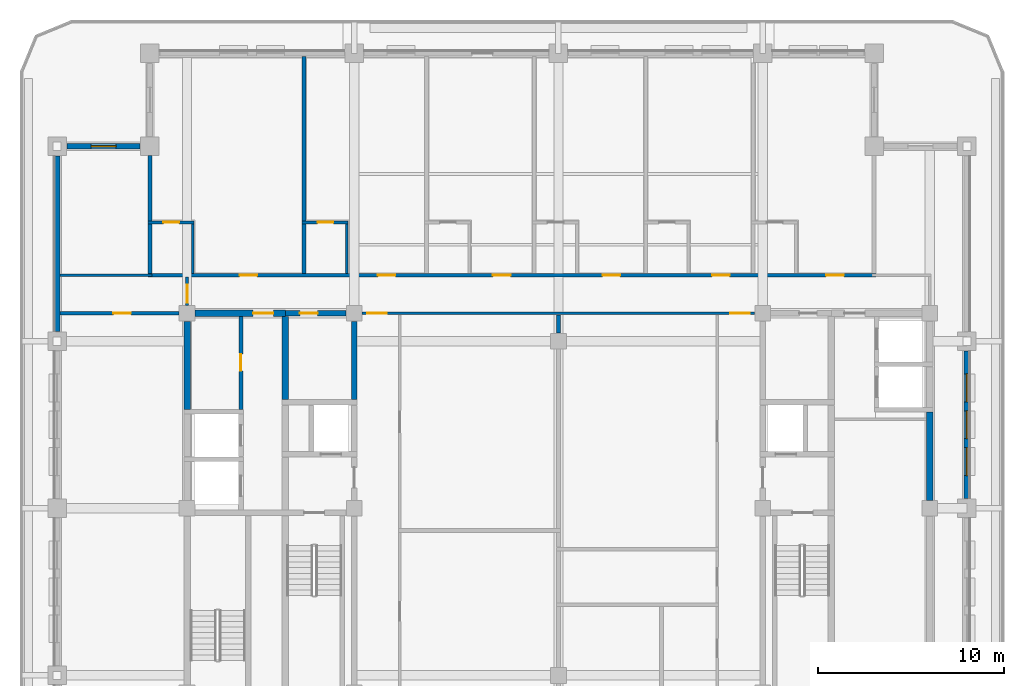
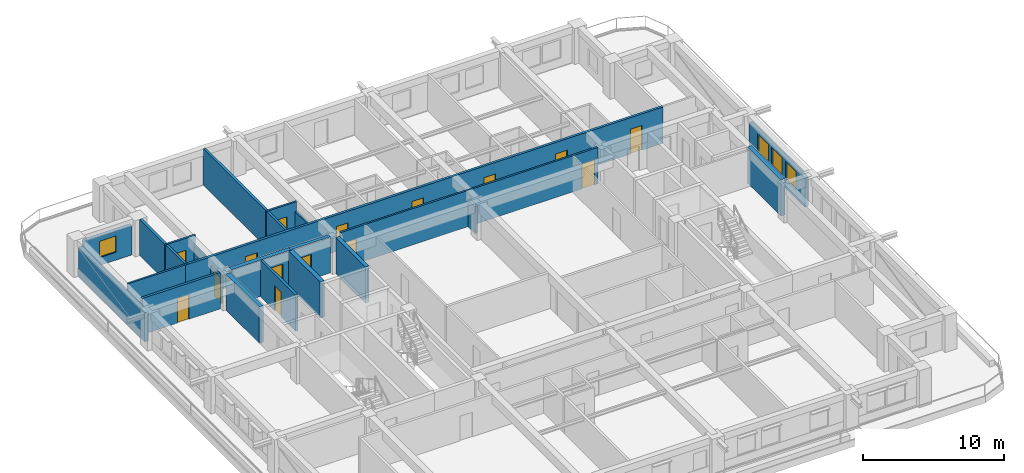
# One storey, part 5 of 14: 24 walls, 15 doors, 4 windows, 19 openings.
"""IFC4 building model written with IfcOpenShell, lengths in metres."""

import ifcopenshell
import ifcopenshell.guid

model = None  # the IFC model being written
_history = None  # IfcOwnerHistory: only IFC2X3 demands one
_inside = {}  # id of a spatial element -> (the spatial element, [elements in it])
_under = {}  # id of a project, library or spatial element -> (it, [spatial elements below it])
_declared = {}  # id of a project -> (the project, [libraries it declares])
_typed = {}  # id of a type object -> (the type object, [elements of that type])
_made_of = {}  # id of a material, layer set ... -> (it, [elements and type objects made of it])


def new_model(schema):
    """Start an empty IFC model of exactly this schema.

    Asked for "IFC4X3", IfcOpenShell would pick the latest addendum, in which some entities
    have other attributes; the version numbers below select the first issue.
    IFC2X3 requires an IfcOwnerHistory on every rooted entity: one is made here for all.
    """
    global model, _history
    if schema == "IFC4X3":
        model = ifcopenshell.file(schema_version=(4, 3, 0, 0))
    else:
        model = ifcopenshell.file(schema=schema)
    _inside.clear()
    _under.clear()
    _declared.clear()
    _typed.clear()
    _made_of.clear()
    _history = None
    if model.schema == "IFC2X3":
        org = make("IfcOrganization", Name="unknown")
        user = make(
            "IfcPersonAndOrganization",
            ThePerson=make("IfcPerson", FamilyName="unknown"),
            TheOrganization=org,
        )
        app = make(
            "IfcApplication",
            ApplicationDeveloper=org,
            Version="unknown",
            ApplicationFullName="unknown",
            ApplicationIdentifier="unknown",
        )
        _history = make(
            "IfcOwnerHistory",
            OwningUser=user,
            OwningApplication=app,
            ChangeAction="ADDED",
            CreationDate=0,
        )
    return model


def make(cls, **values):
    """One entity of the class cls with the attributes given. An attribute that is None is left unset."""
    return model.create_entity(
        cls, **{name: value for name, value in values.items() if value is not None}
    )


def rooted(cls, **values):
    """An entity with a GlobalId (a new one), such as an element, a storey or a relation."""
    return make(cls, GlobalId=ifcopenshell.guid.new(), OwnerHistory=_history, **values)


def si_unit(unit_type, name, prefix=None):
    """IfcSIUnit, for example si_unit("LENGTHUNIT", "METRE", prefix="MILLI")."""
    return make("IfcSIUnit", UnitType=unit_type, Prefix=prefix, Name=name)


def assignment(units):
    """IfcUnitAssignment: the units of a project."""
    return None if units is None else make("IfcUnitAssignment", Units=units)


def point(xyz):
    """IfcCartesianPoint."""
    return None if xyz is None else make("IfcCartesianPoint", Coordinates=xyz)


def direction(xyz):
    """IfcDirection."""
    return None if xyz is None else make("IfcDirection", DirectionRatios=xyz)


def frame(location, z_axis=None, x_axis=None):
    """IfcAxis2Placement3D, a coordinate frame: its origin and axes. An axis left out is left unset."""
    return make(
        "IfcAxis2Placement3D",
        Location=point(location),
        Axis=direction(z_axis),
        RefDirection=direction(x_axis),
    )


def frame_2d(location, x_axis=None):
    """IfcAxis2Placement2D, a coordinate frame in the plane: its origin and x axis."""
    return make(
        "IfcAxis2Placement2D", Location=point(location), RefDirection=direction(x_axis)
    )


def origin():
    """The frame at (0, 0, 0) with its axes left unset."""
    return frame((0.0, 0.0, 0.0))


def place(relative_to, where):
    """IfcLocalPlacement: puts the frame where relative to a parent placement (None: the world)."""
    return make(
        "IfcLocalPlacement", PlacementRelTo=relative_to, RelativePlacement=where
    )


def context(
    kind, dimensions, precision=None, world=None, true_north=None, identifier=None
):
    """IfcGeometricRepresentationContext, for example the 3D "Model" context."""
    return make(
        "IfcGeometricRepresentationContext",
        ContextIdentifier=identifier,
        ContextType=kind,
        CoordinateSpaceDimension=dimensions,
        Precision=precision,
        WorldCoordinateSystem=world,
        TrueNorth=true_north,
    )


def subcontext(parent, identifier, kind, view, scale=None):
    """IfcGeometricRepresentationSubContext, for example "Body" below "Model"."""
    return make(
        "IfcGeometricRepresentationSubContext",
        ContextIdentifier=identifier,
        ContextType=kind,
        ParentContext=parent,
        TargetScale=scale,
        TargetView=view,
    )


def project(units=None, contexts=None):
    """IfcProject with its units and contexts."""
    return rooted(
        "IfcProject",
        Name="project",
        RepresentationContexts=contexts,
        UnitsInContext=assignment(units),
    )


def spatial(cls, under=None, at=None, **own):
    """A site, building, storey or space (cls), placed at a placement, below another one or the project."""
    s = rooted(cls, ObjectPlacement=at, **own)
    if under is not None:
        _under.setdefault(under.id(), (under, []))[1].append(s)
    return s


def profile(cls, at=None, kind="AREA", **sizes):
    """A parametric profile (cls). Its sizes go by their IFC names, for example OverallWidth=200.0."""
    return make(cls, ProfileType=kind, Position=at, **sizes)


def rectangle(**sizes):
    """IfcRectangleProfileDef."""
    return profile("IfcRectangleProfileDef", **sizes)


def extrude(swept, where, along, depth):
    """IfcExtrudedAreaSolid: the profile swept, set in the frame where, extruded along a direction by depth."""
    return make(
        "IfcExtrudedAreaSolid",
        SweptArea=swept,
        Position=where,
        ExtrudedDirection=direction(along),
        Depth=depth,
    )


def shape(context_of_items, identifier, shape_type, items):
    """IfcShapeRepresentation: the items that make up one representation, for example the "Body"."""
    return make(
        "IfcShapeRepresentation",
        ContextOfItems=context_of_items,
        RepresentationIdentifier=identifier,
        RepresentationType=shape_type,
        Items=items,
    )


def material(Name=None, Category=None):
    """IfcMaterial."""
    return make("IfcMaterial", Name=Name, Category=Category)


def layer(
    of_material, thickness, ventilated=None, Name=None, Category=None, Priority=None
):
    """IfcMaterialLayer: one layer of a wall or slab, of a material (None: an air gap)."""
    return make(
        "IfcMaterialLayer",
        Material=of_material,
        LayerThickness=thickness,
        IsVentilated=ventilated,
        Name=Name,
        Category=Category,
        Priority=Priority,
    )


def layer_set(layers, Name=None):
    """IfcMaterialLayerSet."""
    return make("IfcMaterialLayerSet", MaterialLayers=layers, LayerSetName=Name)


def made_of(thing, what):
    """Note that an element or type object is made of a material, layer set ...; save() writes the relation."""
    if what is not None:
        _made_of.setdefault(what.id(), (what, []))[1].append(thing)
    return thing


def type_object(cls, material=None, **own):
    """A type object (cls), such as IfcWallType, which elements share."""
    return made_of(rooted(cls, **own), material)


def element(
    cls,
    number,
    at=None,
    inside=None,
    cuts=None,
    type_object=None,
    material=None,
    context=None,
    identifier="Body",
    shape_type=None,
    held_by="IfcProductDefinitionShape",
    body=None,
    shapes=None,
    **own,
):
    """One element of the class cls, such as IfcWall. Its Tag is "e" and its number.

    at: its placement. inside: the storey or other place that contains it. cuts: it is an
    opening in that element (IfcRelVoidsElement). A single representation is given by context,
    identifier, shape_type and body (its items); several are given by shapes. held_by: the class
    of the entity that holds the representations. save() writes the other relations.
    """
    e = rooted(cls, Tag="e%d" % number, ObjectPlacement=at, **own)
    if body is not None:
        shapes = [shape(context, identifier, shape_type, body)]
    if shapes is not None:
        e.Representation = make(held_by, Representations=shapes)
    if inside is not None:
        _inside.setdefault(inside.id(), (inside, []))[1].append(e)
    if cuts is not None:
        rooted(
            "IfcRelVoidsElement", RelatingBuildingElement=cuts, RelatedOpeningElement=e
        )
    if type_object is not None:
        _typed.setdefault(type_object.id(), (type_object, []))[1].append(e)
    return made_of(e, material)


def fill(opening, filler):
    """IfcRelFillsElement: the door or window that sits in an opening."""
    return rooted(
        "IfcRelFillsElement",
        RelatingOpeningElement=opening,
        RelatedBuildingElement=filler,
    )


def aggregate(whole, parts):
    """IfcRelAggregates: a whole, such as a stair, and the parts it consists of."""
    return rooted("IfcRelAggregates", RelatingObject=whole, RelatedObjects=parts)


def save(model, path):
    """Write the relations noted so far, then the file.

    IfcRelAggregates (storeys below a building ...), IfcRelContainedInSpatialStructure (elements
    in a storey), IfcRelDefinesByType, IfcRelAssociatesMaterial and IfcRelDeclares: one each for
    every whole, place, type object, material and project.
    """
    for whole, parts in _under.values():
        aggregate(whole, parts)
    for where, things in _inside.values():
        rooted(
            "IfcRelContainedInSpatialStructure",
            RelatedElements=things,
            RelatingStructure=where,
        )
    for kind, things in _typed.values():
        rooted("IfcRelDefinesByType", RelatedObjects=things, RelatingType=kind)
    for what, things in _made_of.values():
        rooted("IfcRelAssociatesMaterial", RelatedObjects=things, RelatingMaterial=what)
    for by, libraries in _declared.values():
        rooted("IfcRelDeclares", RelatingContext=by, RelatedDefinitions=libraries)
    model.write(path)


model = new_model("IFC4")

# Units and contexts
model_context = context("Model", 3, precision=1e-05, world=origin(), true_north=direction((0.0, 1.0)))
body_context = subcontext(model_context, "Body", "Model", "MODEL_VIEW")
ifc_project = project(units=[si_unit("LENGTHUNIT", "METRE"), si_unit("AREAUNIT", "SQUARE_METRE"), si_unit("VOLUMEUNIT", "CUBIC_METRE"), si_unit("PLANEANGLEUNIT", "RADIAN"), si_unit("MASSUNIT", "GRAM", prefix="KILO")], contexts=[model_context])

# Site, building, storey
site_placement = place(None, origin())
site = spatial("IfcSite", under=ifc_project, at=site_placement, CompositionType="ELEMENT")
building_placement = place(site_placement, origin())
building = spatial("IfcBuilding", under=site, at=building_placement, Name="Zulmaris Gate Convention Tower", CompositionType="ELEMENT")
storey_placement = place(building_placement, frame((0.0, 0.0, 194.85986328125)))
storey = spatial("IfcBuildingStorey", under=building, at=storey_placement, Name="L50", CompositionType="ELEMENT", Elevation=194.85986328125)

# Wall, opening, door
ifc_material_1 = material(Name="Concrete C50/60", Category="concrete")
ifc_layer_1 = layer(ifc_material_1, 0.300048828125, Name="Concrete C50/60")
ifc_layer_set_1 = layer_set([ifc_layer_1], Name="Concrete C50/60")
wall_type_1 = type_object("IfcWallType", Name="CORE-300", PredefinedType="SHEAR", material=ifc_layer_set_1)
wall_1_placement = place(storey_placement, frame((-14.699951171875, 10.5, 0.0), z_axis=(0.0, 0.0, 1.0), x_axis=(1.0, 0.0, 0.0)))
wall_1 = element("IfcWall", 1, at=wall_1_placement, inside=storey, type_object=wall_type_1, Name="WL-L50-016", PredefinedType="SHEAR", context=body_context, shape_type="SweptSolid", body=[
    extrude(rectangle(XDim=3.27099609375, YDim=0.300048828125, at=frame_2d((1.635498046875, 0.0))), origin(), (0.0, 0.0, 1.0), 3.150146484375),
])
opening_1_placement = place(wall_1_placement, frame((0.77490234375, 0.0, 0.0)))
opening_1 = element("IfcOpeningElement", 2, at=opening_1_placement, cuts=wall_1, Name="Opening D-11", PredefinedType="OPENING", context=body_context, shape_type="SweptSolid", body=[
    extrude(rectangle(XDim=0.949951171875, YDim=2.14990234375, at=frame_2d((0.47509765625, 1.074951171875))), frame((0.0, 0.16015625, 0.0), z_axis=(0.0, -1.0, 0.0), x_axis=(1.0, 0.0, 0.0)), (0.0, 0.0, 1.0), 0.320068359375),
])
ifc_material_2 = material(Name="Fire-Rated Timber", Category="wood")
door_type_1 = type_object("IfcDoorType", Name="DR-950-FD", OperationType="NOTDEFINED", PredefinedType="DOOR", material=ifc_material_2)
door_1_placement = place(opening_1_placement, origin())
door_1 = element("IfcDoor", 3, at=door_1_placement, inside=storey, type_object=door_type_1, Name="L50 Core Pantry Door 07", OperationType="SINGLE_SWING_RIGHT", OverallHeight=2.14990234375, OverallWidth=0.949951171875, PredefinedType="DOOR", context=body_context, shape_type="SweptSolid", body=[
    extrude(rectangle(XDim=0.949951171875, YDim=2.14990234375, at=frame_2d((0.47509765625, 1.074951171875))), frame((0.0, 0.02490234375, 0.0), z_axis=(0.0, -1.0, 0.0), x_axis=(1.0, 0.0, 0.0)), (0.0, 0.0, 1.0), 0.050048828125),
])
fill(opening_1, door_1)

# Wall
wall_2_placement = place(storey_placement, frame((-11.0, 5.85205078125, 0.0), z_axis=(0.0, 0.0, 1.0), x_axis=(0.0, 1.0, 0.0)))
element("IfcWall", 4, at=wall_2_placement, inside=storey, type_object=wall_type_1, Name="WL-L50-056", PredefinedType="SHEAR", context=body_context, shape_type="SweptSolid", body=[
    extrude(rectangle(XDim=4.218994140625, YDim=0.300048828125, at=frame_2d((2.109375, 0.0))), origin(), (0.0, 0.0, 1.0), 3.150146484375),
])

# Wall, opening, door
ifc_material_3 = material(Name="Concrete C55/67", Category="concrete")
ifc_layer_2 = layer(ifc_material_3, 0.35009765625, Name="Concrete C55/67")
ifc_layer_set_2 = layer_set([ifc_layer_2], Name="Concrete C55/67")
wall_type_2 = type_object("IfcWallType", Name="CORE-350", PredefinedType="SHEAR", material=ifc_layer_set_2)
wall_3_placement = place(storey_placement, frame((-19.571044921875, 10.5, 0.0), z_axis=(0.0, 0.0, 1.0), x_axis=(1.0, 0.0, 0.0)))
wall_3 = element("IfcWall", 5, at=wall_3_placement, inside=storey, type_object=wall_type_2, Name="WL-L50-015", PredefinedType="SHEAR", context=body_context, shape_type="SweptSolid", body=[
    extrude(rectangle(XDim=4.87109375, YDim=0.35009765625, at=frame_2d((2.435546875, 0.0))), origin(), (0.0, 0.0, 1.0), 3.150146484375),
])
opening_2_placement = place(wall_3_placement, frame((3.12109375, 0.0, 0.0)))
opening_2 = element("IfcOpeningElement", 6, at=opening_2_placement, cuts=wall_3, Name="Opening D-08", PredefinedType="OPENING", context=body_context, shape_type="SweptSolid", body=[
    extrude(rectangle(XDim=1.10009765625, YDim=2.14990234375, at=frame_2d((0.550048828125, 1.074951171875))), frame((0.0, 0.18505859375, 0.0), z_axis=(0.0, -1.0, 0.0), x_axis=(1.0, 0.0, 0.0)), (0.0, 0.0, 1.0), 0.3701171875),
])
ifc_material_4 = material(Name="Fire-Rated Steel", Category="steel")
door_type_2 = type_object("IfcDoorType", Name="DR-1100-FD", OperationType="NOTDEFINED", PredefinedType="DOOR", material=ifc_material_4)
door_2_placement = place(opening_2_placement, origin())
door_2 = element("IfcDoor", 7, at=door_2_placement, inside=storey, type_object=door_type_2, Name="L50 High-Rise West Lift Lobby Door 12", OperationType="SINGLE_SWING_LEFT", OverallHeight=2.14990234375, OverallWidth=1.10009765625, PredefinedType="DOOR", context=body_context, shape_type="SweptSolid", body=[
    extrude(rectangle(XDim=1.10009765625, YDim=2.14990234375, at=frame_2d((0.550048828125, 1.074951171875))), frame((0.0, 0.02490234375, 0.0), z_axis=(0.0, -1.0, 0.0), x_axis=(1.0, 0.0, 0.0)), (0.0, 0.0, 1.0), 0.050048828125),
])
fill(opening_2, door_2)

# Walls
wall_4_placement = place(storey_placement, frame((-20.0, 5.326904296875, 0.0), z_axis=(0.0, 0.0, 1.0), x_axis=(0.0, 1.0, 0.0)))
element("IfcWall", 8, at=wall_4_placement, inside=storey, type_object=wall_type_2, Name="WL-L50-043", PredefinedType="SHEAR", context=body_context, shape_type="SweptSolid", body=[
    extrude(rectangle(XDim=4.744140625, YDim=0.35009765625, at=frame_2d((2.3720703125, 0.0))), origin(), (0.0, 0.0, 1.0), 3.150146484375),
])
wall_5_placement = place(storey_placement, frame((-14.699951171875, 5.85205078125, 0.0), z_axis=(0.0, 0.0, 1.0), x_axis=(0.0, 1.0, 0.0)))
element("IfcWall", 9, at=wall_5_placement, inside=storey, type_object=wall_type_2, Name="WL-L50-050", PredefinedType="SHEAR", context=body_context, shape_type="SweptSolid", body=[
    extrude(rectangle(XDim=4.470947265625, YDim=0.35009765625, at=frame_2d((2.2353515625, 0.0))), origin(), (0.0, 0.0, 1.0), 3.150146484375),
])
wall_6_placement = place(storey_placement, frame((20.0, 0.428955078125, 0.0), z_axis=(0.0, 0.0, 1.0), x_axis=(0.0, 1.0, 0.0)))
element("IfcWall", 10, at=wall_6_placement, inside=storey, type_object=wall_type_2, Name="WL-L50-069S1", PredefinedType="SHEAR", context=body_context, shape_type="SweptSolid", body=[
    extrude(rectangle(XDim=4.744140625, YDim=0.35009765625, at=frame_2d((2.3720703125, 0.0))), origin(), (0.0, 0.0, 1.0), 3.150146484375),
])

# Wall, openings, doors
ifc_material_5 = material(Name="Gypsum Metal Stud Partition")
ifc_layer_3 = layer(ifc_material_5, 0.14990234375, Name="Gypsum Metal Stud Partition")
ifc_layer_set_3 = layer_set([ifc_layer_3], Name="Gypsum Metal Stud Partition")
wall_type_3 = type_object("IfcWallType", Name="PART-150", PredefinedType="PARTITIONING", material=ifc_layer_set_3)
wall_7_placement = place(storey_placement, frame((-10.569091796875, 10.5, 0.0), z_axis=(0.0, 0.0, 1.0), x_axis=(1.0, 0.0, 0.0)))
wall_7 = element("IfcWall", 11, at=wall_7_placement, inside=storey, type_object=wall_type_3, Name="WL-L50-030", PredefinedType="PARTITIONING", context=body_context, shape_type="SweptSolid", body=[
    extrude(rectangle(XDim=21.13818359375, YDim=0.14990234375, at=frame_2d((10.569091796875, 0.0))), origin(), (0.0, 0.0, 1.0), 3.150146484375),
])
opening_3_placement = place(wall_7_placement, frame((0.263916015625, 0.0, 0.0)))
opening_3 = element("IfcOpeningElement", 12, at=opening_3_placement, cuts=wall_7, Name="Opening D-09", PredefinedType="OPENING", context=body_context, shape_type="SweptSolid", body=[
    extrude(rectangle(XDim=1.050048828125, YDim=2.14990234375, at=frame_2d((0.52490234375, 1.074951171875))), frame((0.0, 0.0849609375, 0.0), z_axis=(0.0, -1.0, 0.0), x_axis=(1.0, 0.0, 0.0)), (0.0, 0.0, 1.0), 0.169921875),
])
opening_4_placement = place(wall_7_placement, frame((19.823974609375, 0.0, 0.0)))
opening_4 = element("IfcOpeningElement", 13, at=opening_4_placement, cuts=wall_7, Name="Opening D-09", PredefinedType="OPENING", context=body_context, shape_type="SweptSolid", body=[
    extrude(rectangle(XDim=1.050048828125, YDim=2.14990234375, at=frame_2d((0.52490234375, 1.074951171875))), frame((0.0, 0.0849609375, 0.0), z_axis=(0.0, -1.0, 0.0), x_axis=(1.0, 0.0, 0.0)), (0.0, 0.0, 1.0), 0.169921875),
])
door_type_3 = type_object("IfcDoorType", Name="DR-1050-FD", OperationType="NOTDEFINED", PredefinedType="DOOR", material=ifc_material_4)
door_3_placement = place(opening_3_placement, origin())
door_3 = element("IfcDoor", 14, at=door_3_placement, inside=storey, type_object=door_type_3, Name="L50 NW Hotel Loop Door 18", OperationType="SINGLE_SWING_LEFT", OverallHeight=2.14990234375, OverallWidth=1.050048828125, PredefinedType="DOOR", context=body_context, shape_type="SweptSolid", body=[
    extrude(rectangle(XDim=1.050048828125, YDim=2.14990234375, at=frame_2d((0.52490234375, 1.074951171875))), frame((0.0, 0.02490234375, 0.0), z_axis=(0.0, -1.0, 0.0), x_axis=(1.0, 0.0, 0.0)), (0.0, 0.0, 1.0), 0.050048828125),
])
fill(opening_3, door_3)
door_4_placement = place(opening_4_placement, origin())
door_4 = element("IfcDoor", 15, at=door_4_placement, inside=storey, type_object=door_type_3, Name="L50 NE Hotel Loop Door 20", OperationType="SINGLE_SWING_LEFT", OverallHeight=2.14990234375, OverallWidth=1.050048828125, PredefinedType="DOOR", context=body_context, shape_type="SweptSolid", body=[
    extrude(rectangle(XDim=1.050048828125, YDim=2.14990234375, at=frame_2d((0.52490234375, 1.074951171875))), frame((0.0, 0.02490234375, 0.0), z_axis=(0.0, -1.0, 0.0), x_axis=(1.0, 0.0, 0.0)), (0.0, 0.0, 1.0), 0.050048828125),
])
fill(opening_4, door_4)

# Wall
wall_8_placement = place(storey_placement, frame((-26.8349609375, 12.550048828125, 0.0), z_axis=(0.0, 0.0, 1.0), x_axis=(1.0, 0.0, 0.0)))
element("IfcWall", 16, at=wall_8_placement, inside=storey, type_object=wall_type_3, Name="WL-L50-031", PredefinedType="PARTITIONING", context=body_context, shape_type="SweptSolid", body=[
    extrude(rectangle(XDim=4.93505859375, YDim=0.14990234375, at=frame_2d((2.467529296875, 0.0))), origin(), (0.0, 0.0, 1.0), 3.150146484375),
])

# Wall, opening, door
wall_9_placement = place(storey_placement, frame((-22.10009765625, 15.39990234375, 0.0), z_axis=(0.0, 0.0, 1.0), x_axis=(1.0, 0.0, 0.0)))
wall_9 = element("IfcWall", 17, at=wall_9_placement, inside=storey, type_object=wall_type_3, Name="WL-L50-034", PredefinedType="PARTITIONING", context=body_context, shape_type="SweptSolid", body=[
    extrude(rectangle(XDim=2.47509765625, YDim=0.14990234375, at=frame_2d((1.237548828125, 0.0))), origin(), (0.0, 0.0, 1.0), 3.150146484375),
])
opening_5_placement = place(wall_9_placement, frame((0.824951171875, 0.0, 0.0)))
opening_5 = element("IfcOpeningElement", 18, at=opening_5_placement, cuts=wall_9, Name="Opening D-17", PredefinedType="OPENING", context=body_context, shape_type="SweptSolid", body=[
    extrude(rectangle(XDim=0.85009765625, YDim=2.10009765625, at=frame_2d((0.425048828125, 1.050048828125))), frame((0.0, 0.0849609375, 0.0), z_axis=(0.0, -1.0, 0.0), x_axis=(1.0, 0.0, 0.0)), (0.0, 0.0, 1.0), 0.169921875),
])
ifc_material_6 = material(Name="Moisture-Resistant Hardwood Timber", Category="wood")
door_type_4 = type_object("IfcDoorType", Name="DR-850", OperationType="NOTDEFINED", PredefinedType="DOOR", material=ifc_material_6)
door_5_placement = place(opening_5_placement, origin())
door_5 = element("IfcDoor", 19, at=door_5_placement, inside=storey, type_object=door_type_4, Name="L50 En-Suite Door 23", OperationType="SINGLE_SWING_RIGHT", OverallHeight=2.10009765625, OverallWidth=0.85009765625, PredefinedType="DOOR", context=body_context, shape_type="SweptSolid", body=[
    extrude(rectangle(XDim=0.85009765625, YDim=2.10009765625, at=frame_2d((0.425048828125, 1.050048828125))), frame((0.0, 0.02490234375, 0.0), z_axis=(0.0, -1.0, 0.0), x_axis=(1.0, 0.0, 0.0)), (0.0, 0.0, 1.0), 0.050048828125),
])
fill(opening_5, door_5)

wall_10_placement = place(storey_placement, frame((-13.800048828125, 15.39990234375, 0.0), z_axis=(0.0, 0.0, 1.0), x_axis=(1.0, 0.0, 0.0)))
wall_10 = element("IfcWall", 20, at=wall_10_placement, inside=storey, type_object=wall_type_3, Name="WL-L50-035", PredefinedType="PARTITIONING", context=body_context, shape_type="SweptSolid", body=[
    extrude(rectangle(XDim=2.47509765625, YDim=0.14990234375, at=frame_2d((1.237548828125, 0.0))), origin(), (0.0, 0.0, 1.0), 3.150146484375),
])
opening_6_placement = place(wall_10_placement, frame((0.824951171875, 0.0, 0.0)))
opening_6 = element("IfcOpeningElement", 21, at=opening_6_placement, cuts=wall_10, Name="Opening D-17", PredefinedType="OPENING", context=body_context, shape_type="SweptSolid", body=[
    extrude(rectangle(XDim=0.85009765625, YDim=2.10009765625, at=frame_2d((0.425048828125, 1.050048828125))), frame((0.0, 0.0849609375, 0.0), z_axis=(0.0, -1.0, 0.0), x_axis=(1.0, 0.0, 0.0)), (0.0, 0.0, 1.0), 0.169921875),
])
door_6_placement = place(opening_6_placement, origin())
door_6 = element("IfcDoor", 22, at=door_6_placement, inside=storey, type_object=door_type_4, Name="L50 En-Suite Door 25", OperationType="SINGLE_SWING_RIGHT", OverallHeight=2.10009765625, OverallWidth=0.85009765625, PredefinedType="DOOR", context=body_context, shape_type="SweptSolid", body=[
    extrude(rectangle(XDim=0.85009765625, YDim=2.10009765625, at=frame_2d((0.425048828125, 1.050048828125))), frame((0.0, 0.02490234375, 0.0), z_axis=(0.0, -1.0, 0.0), x_axis=(1.0, 0.0, 0.0)), (0.0, 0.0, 1.0), 0.050048828125),
])
fill(opening_6, door_6)

wall_11_placement = place(storey_placement, frame((-20.0, 10.930908203125, 0.0), z_axis=(0.0, 0.0, 1.0), x_axis=(0.0, 1.0, 0.0)))
wall_11 = element("IfcWall", 23, at=wall_11_placement, inside=storey, type_object=wall_type_3, Name="WL-L50-076", PredefinedType="PARTITIONING", context=body_context, shape_type="SweptSolid", body=[
    extrude(rectangle(XDim=1.51611328125, YDim=0.14990234375, at=frame_2d((0.758056640625, 0.0))), origin(), (0.0, 0.0, 1.0), 2.342041015625),
])
opening_7_placement = place(wall_11_placement, frame((0.14990234375, 0.0, 0.0)))
opening_7 = element("IfcOpeningElement", 24, at=opening_7_placement, cuts=wall_11, Name="Opening D-11", PredefinedType="OPENING", context=body_context, shape_type="SweptSolid", body=[
    extrude(rectangle(XDim=0.949951171875, YDim=2.14990234375, at=frame_2d((0.47509765625, 1.074951171875))), frame((0.0, 0.0849609375, 0.0), z_axis=(0.0, -1.0, 0.0), x_axis=(1.0, 0.0, 0.0)), (0.0, 0.0, 1.0), 0.169921875),
])
door_7_placement = place(opening_7_placement, origin())
door_7 = element("IfcDoor", 25, at=door_7_placement, inside=storey, type_object=door_type_1, Name="L50 West Spur Door 45", OperationType="SINGLE_SWING_RIGHT", OverallHeight=2.14990234375, OverallWidth=0.949951171875, PredefinedType="DOOR", context=body_context, shape_type="SweptSolid", body=[
    extrude(rectangle(XDim=0.949951171875, YDim=2.14990234375, at=frame_2d((0.47509765625, 1.074951171875))), frame((0.0, 0.02490234375, 0.0), z_axis=(0.0, -1.0, 0.0), x_axis=(1.0, 0.0, 0.0)), (0.0, 0.0, 1.0), 0.050048828125),
])
fill(opening_7, door_7)

# Walls
for number, where, z_axis, x_axis, name in (
    (26, (-19.699951171875, 12.653076171875, 0.0), (0.0, 0.0, 1.0), (0.0, 1.0, 0.0), "WL-L50-077"),
    (27, (-11.39990234375, 12.653076171875, 0.0), (0.0, 0.0, 1.0), (0.0, 1.0, 0.0), "WL-L50-081"),
):
    element("IfcWall", number, at=place(storey_placement, frame(where, z_axis=z_axis, x_axis=x_axis)), inside=storey, type_object=wall_type_3, Name=name, PredefinedType="PARTITIONING", context=body_context, shape_type="SweptSolid", body=[
        extrude(rectangle(XDim=2.6689453125, YDim=0.14990234375, at=frame_2d((1.33447265625, 0.0))), origin(), (0.0, 0.0, 1.0), 2.342041015625),
    ])

# Wall, opening, door
ifc_material_7 = material(Name="Autoclaved Aerated Concrete Block and Plasterboard", Category="concrete")
ifc_layer_4 = layer(ifc_material_7, 0.199951171875, Name="Autoclaved Aerated Concrete Block and Plasterboard")
ifc_layer_set_4 = layer_set([ifc_layer_4], Name="Autoclaved Aerated Concrete Block and Plasterboard")
wall_type_4 = type_object("IfcWallType", Name="PART-200", PredefinedType="PARTITIONING", material=ifc_layer_set_4)
wall_12_placement = place(storey_placement, frame((-26.8349609375, 10.5, 0.0), z_axis=(0.0, 0.0, 1.0), x_axis=(1.0, 0.0, 0.0)))
wall_12 = element("IfcWall", 28, at=wall_12_placement, inside=storey, type_object=wall_type_4, Name="WL-L50-029", PredefinedType="PARTITIONING", context=body_context, shape_type="SweptSolid", body=[
    extrude(rectangle(XDim=6.404052734375, YDim=0.199951171875, at=frame_2d((3.2021484375, 0.0))), origin(), (0.0, 0.0, 1.0), 3.150146484375),
])
opening_8_placement = place(wall_12_placement, frame((2.860107421875, 0.0, 0.0)))
opening_8 = element("IfcOpeningElement", 29, at=opening_8_placement, cuts=wall_12, Name="Opening D-11", PredefinedType="OPENING", context=body_context, shape_type="SweptSolid", body=[
    extrude(rectangle(XDim=0.949951171875, YDim=2.14990234375, at=frame_2d((0.47509765625, 1.074951171875))), frame((0.0, 0.10986328125, 0.0), z_axis=(0.0, -1.0, 0.0), x_axis=(1.0, 0.0, 0.0)), (0.0, 0.0, 1.0), 0.219970703125),
])
door_8_placement = place(opening_8_placement, origin())
door_8 = element("IfcDoor", 30, at=door_8_placement, inside=storey, type_object=door_type_1, Name="L50 Sunset Lounge Door 46", OperationType="SINGLE_SWING_LEFT", OverallHeight=2.14990234375, OverallWidth=0.949951171875, PredefinedType="DOOR", context=body_context, shape_type="SweptSolid", body=[
    extrude(rectangle(XDim=0.949951171875, YDim=2.14990234375, at=frame_2d((0.47509765625, 1.074951171875))), frame((0.0, 0.02490234375, 0.0), z_axis=(0.0, -1.0, 0.0), x_axis=(1.0, 0.0, 0.0)), (0.0, 0.0, 1.0), 0.050048828125),
])
fill(opening_8, door_8)

# Wall, openings, doors
wall_13_placement = place(storey_placement, frame((-22.10009765625, 12.550048828125, 0.0), z_axis=(0.0, 0.0, 1.0), x_axis=(1.0, 0.0, 0.0)))
wall_13 = element("IfcWall", 31, at=wall_13_placement, inside=storey, type_object=wall_type_4, Name="WL-L50-032", PredefinedType="PARTITIONING", context=body_context, shape_type="SweptSolid", body=[
    extrude(rectangle(XDim=39.2001953125, YDim=0.199951171875, at=frame_2d((19.60009765625, 0.0))), origin(), (0.0, 0.0, 1.0), 3.150146484375),
])
opening_9_placement = place(wall_13_placement, frame((4.925048828125, 0.0, 0.0)))
opening_9 = element("IfcOpeningElement", 32, at=opening_9_placement, cuts=wall_13, Name="Opening D-11", PredefinedType="OPENING", context=body_context, shape_type="SweptSolid", body=[
    extrude(rectangle(XDim=0.949951171875, YDim=2.14990234375, at=frame_2d((0.47509765625, 1.074951171875))), frame((0.0, 0.10986328125, 0.0), z_axis=(0.0, -1.0, 0.0), x_axis=(1.0, 0.0, 0.0)), (0.0, 0.0, 1.0), 0.219970703125),
])
opening_10_placement = place(wall_13_placement, frame((12.375, 0.0, 0.0)))
opening_10 = element("IfcOpeningElement", 33, at=opening_10_placement, cuts=wall_13, Name="Opening D-11", PredefinedType="OPENING", context=body_context, shape_type="SweptSolid", body=[
    extrude(rectangle(XDim=0.949951171875, YDim=2.14990234375, at=frame_2d((0.47509765625, 1.074951171875))), frame((0.0, 0.10986328125, 0.0), z_axis=(0.0, -1.0, 0.0), x_axis=(1.0, 0.0, 0.0)), (0.0, 0.0, 1.0), 0.219970703125),
])
opening_11_placement = place(wall_13_placement, frame((18.574951171875, 0.0, 0.0)))
opening_11 = element("IfcOpeningElement", 34, at=opening_11_placement, cuts=wall_13, Name="Opening D-11", PredefinedType="OPENING", context=body_context, shape_type="SweptSolid", body=[
    extrude(rectangle(XDim=0.949951171875, YDim=2.14990234375, at=frame_2d((0.47509765625, 1.074951171875))), frame((0.0, 0.10986328125, 0.0), z_axis=(0.0, -1.0, 0.0), x_axis=(1.0, 0.0, 0.0)), (0.0, 0.0, 1.0), 0.219970703125),
])
opening_12_placement = place(wall_13_placement, frame((24.47509765625, 0.0, 0.0)))
opening_12 = element("IfcOpeningElement", 35, at=opening_12_placement, cuts=wall_13, Name="Opening D-11", PredefinedType="OPENING", context=body_context, shape_type="SweptSolid", body=[
    extrude(rectangle(XDim=0.949951171875, YDim=2.14990234375, at=frame_2d((0.47509765625, 1.074951171875))), frame((0.0, 0.10986328125, 0.0), z_axis=(0.0, -1.0, 0.0), x_axis=(1.0, 0.0, 0.0)), (0.0, 0.0, 1.0), 0.219970703125),
])
opening_13_placement = place(wall_13_placement, frame((30.375, 0.0, 0.0)))
opening_13 = element("IfcOpeningElement", 36, at=opening_13_placement, cuts=wall_13, Name="Opening D-11", PredefinedType="OPENING", context=body_context, shape_type="SweptSolid", body=[
    extrude(rectangle(XDim=0.949951171875, YDim=2.14990234375, at=frame_2d((0.47509765625, 1.074951171875))), frame((0.0, 0.10986328125, 0.0), z_axis=(0.0, -1.0, 0.0), x_axis=(1.0, 0.0, 0.0)), (0.0, 0.0, 1.0), 0.219970703125),
])
opening_14_placement = place(wall_13_placement, frame((36.52490234375, 0.0, 0.0)))
opening_14 = element("IfcOpeningElement", 37, at=opening_14_placement, cuts=wall_13, Name="Opening D-11", PredefinedType="OPENING", context=body_context, shape_type="SweptSolid", body=[
    extrude(rectangle(XDim=0.949951171875, YDim=2.14990234375, at=frame_2d((0.47509765625, 1.074951171875))), frame((0.0, 0.10986328125, 0.0), z_axis=(0.0, -1.0, 0.0), x_axis=(1.0, 0.0, 0.0)), (0.0, 0.0, 1.0), 0.219970703125),
])
door_9_placement = place(opening_9_placement, origin())
door_9 = element("IfcDoor", 38, at=door_9_placement, inside=storey, type_object=door_type_1, Name="L50 Hotel Diplomatic Suite Door 22", OperationType="SINGLE_SWING_LEFT", OverallHeight=2.14990234375, OverallWidth=0.949951171875, PredefinedType="DOOR", context=body_context, shape_type="SweptSolid", body=[
    extrude(rectangle(XDim=0.949951171875, YDim=2.14990234375, at=frame_2d((0.47509765625, 1.074951171875))), frame((0.0, 0.02490234375, 0.0), z_axis=(0.0, -1.0, 0.0), x_axis=(1.0, 0.0, 0.0)), (0.0, 0.0, 1.0), 0.050048828125),
])
fill(opening_9, door_9)
door_10_placement = place(opening_10_placement, origin())
door_10 = element("IfcDoor", 39, at=door_10_placement, inside=storey, type_object=door_type_1, Name="L50 Hotel Diplomatic Suite Door 24", OperationType="SINGLE_SWING_LEFT", OverallHeight=2.14990234375, OverallWidth=0.949951171875, PredefinedType="DOOR", context=body_context, shape_type="SweptSolid", body=[
    extrude(rectangle(XDim=0.949951171875, YDim=2.14990234375, at=frame_2d((0.47509765625, 1.074951171875))), frame((0.0, 0.02490234375, 0.0), z_axis=(0.0, -1.0, 0.0), x_axis=(1.0, 0.0, 0.0)), (0.0, 0.0, 1.0), 0.050048828125),
])
fill(opening_10, door_10)
door_11_placement = place(opening_11_placement, origin())
door_11 = element("IfcDoor", 40, at=door_11_placement, inside=storey, type_object=door_type_1, Name="L50 Hotel Diplomatic Suite Door 26", OperationType="SINGLE_SWING_LEFT", OverallHeight=2.14990234375, OverallWidth=0.949951171875, PredefinedType="DOOR", context=body_context, shape_type="SweptSolid", body=[
    extrude(rectangle(XDim=0.949951171875, YDim=2.14990234375, at=frame_2d((0.47509765625, 1.074951171875))), frame((0.0, 0.02490234375, 0.0), z_axis=(0.0, -1.0, 0.0), x_axis=(1.0, 0.0, 0.0)), (0.0, 0.0, 1.0), 0.050048828125),
])
fill(opening_11, door_11)
door_12_placement = place(opening_12_placement, origin())
door_12 = element("IfcDoor", 41, at=door_12_placement, inside=storey, type_object=door_type_1, Name="L50 Hotel Diplomatic Suite Door 28", OperationType="SINGLE_SWING_LEFT", OverallHeight=2.14990234375, OverallWidth=0.949951171875, PredefinedType="DOOR", context=body_context, shape_type="SweptSolid", body=[
    extrude(rectangle(XDim=0.949951171875, YDim=2.14990234375, at=frame_2d((0.47509765625, 1.074951171875))), frame((0.0, 0.02490234375, 0.0), z_axis=(0.0, -1.0, 0.0), x_axis=(1.0, 0.0, 0.0)), (0.0, 0.0, 1.0), 0.050048828125),
])
fill(opening_12, door_12)
door_13_placement = place(opening_13_placement, origin())
door_13 = element("IfcDoor", 42, at=door_13_placement, inside=storey, type_object=door_type_1, Name="L50 Hotel Diplomatic Suite Door 30", OperationType="SINGLE_SWING_LEFT", OverallHeight=2.14990234375, OverallWidth=0.949951171875, PredefinedType="DOOR", context=body_context, shape_type="SweptSolid", body=[
    extrude(rectangle(XDim=0.949951171875, YDim=2.14990234375, at=frame_2d((0.47509765625, 1.074951171875))), frame((0.0, 0.02490234375, 0.0), z_axis=(0.0, -1.0, 0.0), x_axis=(1.0, 0.0, 0.0)), (0.0, 0.0, 1.0), 0.050048828125),
])
fill(opening_13, door_13)
door_14_placement = place(opening_14_placement, origin())
door_14 = element("IfcDoor", 43, at=door_14_placement, inside=storey, type_object=door_type_1, Name="L50 Hotel Diplomatic Suite Door 32", OperationType="SINGLE_SWING_LEFT", OverallHeight=2.14990234375, OverallWidth=0.949951171875, PredefinedType="DOOR", context=body_context, shape_type="SweptSolid", body=[
    extrude(rectangle(XDim=0.949951171875, YDim=2.14990234375, at=frame_2d((0.47509765625, 1.074951171875))), frame((0.0, 0.02490234375, 0.0), z_axis=(0.0, -1.0, 0.0), x_axis=(1.0, 0.0, 0.0)), (0.0, 0.0, 1.0), 0.050048828125),
])
fill(opening_14, door_14)

# Walls
wall_14_placement = place(storey_placement, frame((-22.0, 12.653076171875, 0.0), z_axis=(0.0, 0.0, 1.0), x_axis=(0.0, 1.0, 0.0)))
element("IfcWall", 44, at=wall_14_placement, inside=storey, type_object=wall_type_4, Name="WL-L50-073", PredefinedType="PARTITIONING", context=body_context, shape_type="SweptSolid", body=[
    extrude(rectangle(XDim=2.6689453125, YDim=0.199951171875, at=frame_2d((1.33447265625, 0.0))), origin(), (0.0, 0.0, 1.0), 3.150146484375),
])
wall_15_placement = place(storey_placement, frame((-22.0, 15.47802734375, 0.0), z_axis=(0.0, 0.0, 1.0), x_axis=(0.0, 1.0, 0.0)))
element("IfcWall", 45, at=wall_15_placement, inside=storey, type_object=wall_type_4, Name="WL-L50-074", PredefinedType="PARTITIONING", context=body_context, shape_type="SweptSolid", body=[
    extrude(rectangle(XDim=3.515869140625, YDim=0.199951171875, at=frame_2d((1.7578125, 0.0))), origin(), (0.0, 0.0, 1.0), 3.150146484375),
])

# Wall, opening, door
wall_16_placement = place(storey_placement, frame((-17.10009765625, 5.327880859375, 0.0), z_axis=(0.0, 0.0, 1.0), x_axis=(0.0, 1.0, 0.0)))
wall_16 = element("IfcWall", 46, at=wall_16_placement, inside=storey, type_object=wall_type_4, Name="WL-L50-078", PredefinedType="PARTITIONING", context=body_context, shape_type="SweptSolid", body=[
    extrude(rectangle(XDim=4.994140625, YDim=0.199951171875, at=frame_2d((2.4970703125, 0.0))), origin(), (0.0, 0.0, 1.0), 3.150146484375),
])
opening_15_placement = place(wall_16_placement, frame((2.072021484375, 0.0, 0.0)))
opening_15 = element("IfcOpeningElement", 47, at=opening_15_placement, cuts=wall_16, Name="Opening D-12", PredefinedType="OPENING", context=body_context, shape_type="SweptSolid", body=[
    extrude(rectangle(XDim=0.89990234375, YDim=2.14990234375, at=frame_2d((0.449951171875, 1.074951171875))), frame((0.0, 0.10986328125, 0.0), z_axis=(0.0, -1.0, 0.0), x_axis=(1.0, 0.0, 0.0)), (0.0, 0.0, 1.0), 0.219970703125),
])
door_type_5 = type_object("IfcDoorType", Name="DR-900-FD", OperationType="NOTDEFINED", PredefinedType="DOOR", material=ifc_material_2)
door_15_placement = place(opening_15_placement, origin())
door_15 = element("IfcDoor", 48, at=door_15_placement, inside=storey, type_object=door_type_5, Name="L50 Housekeeping Door 13", OperationType="SINGLE_SWING_RIGHT", OverallHeight=2.14990234375, OverallWidth=0.89990234375, PredefinedType="DOOR", context=body_context, shape_type="SweptSolid", body=[
    extrude(rectangle(XDim=0.89990234375, YDim=2.14990234375, at=frame_2d((0.449951171875, 1.074951171875))), frame((0.0, 0.02490234375, 0.0), z_axis=(0.0, -1.0, 0.0), x_axis=(1.0, 0.0, 0.0)), (0.0, 0.0, 1.0), 0.050048828125),
])
fill(opening_15, door_15)

# Walls
wall_17_placement = place(storey_placement, frame((-13.699951171875, 12.653076171875, 0.0), z_axis=(0.0, 0.0, 1.0), x_axis=(0.0, 1.0, 0.0)))
element("IfcWall", 49, at=wall_17_placement, inside=storey, type_object=wall_type_4, Name="WL-L50-079", PredefinedType="PARTITIONING", context=body_context, shape_type="SweptSolid", body=[
    extrude(rectangle(XDim=2.6689453125, YDim=0.199951171875, at=frame_2d((1.33447265625, 0.0))), origin(), (0.0, 0.0, 1.0), 3.150146484375),
])
wall_18_placement = place(storey_placement, frame((-13.699951171875, 15.47802734375, 0.0), z_axis=(0.0, 0.0, 1.0), x_axis=(0.0, 1.0, 0.0)))
element("IfcWall", 50, at=wall_18_placement, inside=storey, type_object=wall_type_4, Name="WL-L50-080", PredefinedType="PARTITIONING", context=body_context, shape_type="SweptSolid", body=[
    extrude(rectangle(XDim=8.85693359375, YDim=0.199951171875, at=frame_2d((4.428466796875, 0.0))), origin(), (0.0, 0.0, 1.0), 3.150146484375),
])
wall_19_placement = place(storey_placement, frame((0.0, 9.430908203125, 0.0), z_axis=(0.0, 0.0, 1.0), x_axis=(0.0, 1.0, 0.0)))
element("IfcWall", 51, at=wall_19_placement, inside=storey, type_object=wall_type_4, Name="WL-L50-095S1", PredefinedType="PARTITIONING", context=body_context, shape_type="SweptSolid", body=[
    extrude(rectangle(XDim=0.9912109375, YDim=0.199951171875, at=frame_2d((0.49560546875, 0.0))), origin(), (0.0, 0.0, 1.0), 2.342041015625),
])

# Wall, opening, window
ifc_material_8 = material(Name="Precast concrete C40/50", Category="concrete")
ifc_layer_5 = layer(ifc_material_8, 0.300048828125, Name="Precast concrete C40/50")
ifc_layer_set_5 = layer_set([ifc_layer_5], Name="Precast concrete C40/50")
wall_type_5 = type_object("IfcWallType", Name="PRECAST-PIER-300", PredefinedType="STANDARD", material=ifc_layer_set_5)
wall_20_placement = place(storey_placement, frame((-22.530029296875, 19.5, 0.0), z_axis=(0.0, 0.0, 1.0), x_axis=(-1.0, 0.0, 0.0)))
wall_20 = element("IfcWall", 52, at=wall_20_placement, inside=storey, type_object=wall_type_5, Name="EW-L50-NOTCH-NW2_0", PredefinedType="STANDARD", context=body_context, shape_type="SweptSolid", body=[
    extrude(rectangle(XDim=3.93994140625, YDim=0.300048828125, at=frame_2d((1.969970703125, 0.0))), origin(), (0.0, 0.0, 1.0), 2.542236328125),
])
opening_16_placement = place(wall_20_placement, frame((1.294921875, 0.0, 0.679931640625)))
opening_16 = element("IfcOpeningElement", 53, at=opening_16_placement, cuts=wall_20, Name="Opening W-10", PredefinedType="OPENING", context=body_context, shape_type="SweptSolid", body=[
    extrude(rectangle(XDim=1.35009765625, YDim=1.419921875, at=frame_2d((0.675048828125, 0.7099609375))), frame((0.0, 0.16015625, 0.0), z_axis=(0.0, -1.0, 0.0), x_axis=(1.0, 0.0, 0.0)), (0.0, 0.0, 1.0), 0.320068359375),
])
ifc_material_9 = material(Name="Low-E Laminated Double Glazing in Aluminium Frame", Category="aluminium")
window_type_1 = type_object("IfcWindowType", Name="WIN-1350x2000", PartitioningType="SINGLE_PANEL", PredefinedType="WINDOW", material=ifc_material_9)
window_1_placement = place(opening_16_placement, origin())
window_1 = element("IfcWindow", 54, at=window_1_placement, inside=storey, type_object=window_type_1, Name="WN-EW-L50-NOTCH-NW2_0", OverallHeight=1.419921875, OverallWidth=1.35009765625, PartitioningType="SINGLE_PANEL", PredefinedType="WINDOW", context=body_context, shape_type="SweptSolid", body=[
    extrude(rectangle(XDim=1.35009765625, YDim=1.419921875, at=frame_2d((0.675048828125, 0.7099609375))), frame((0.0, 0.030029296875, 0.0), z_axis=(0.0, -1.0, 0.0), x_axis=(1.0, 0.0, 0.0)), (0.0, 0.0, 1.0), 0.06005859375),
])
fill(opening_16, window_1)

# Wall, openings, windows
wall_21_placement = place(storey_placement, frame((22.0, 0.530029296875, 0.0), z_axis=(0.0, 0.0, 1.0), x_axis=(0.0, 1.0, 0.0)))
wall_21 = element("IfcWall", 55, at=wall_21_placement, inside=storey, type_object=wall_type_5, Name="EW-L50-E-2_0", PredefinedType="STANDARD", context=body_context, shape_type="SweptSolid", body=[
    extrude(rectangle(XDim=7.93994140625, YDim=0.300048828125, at=frame_2d((3.969970703125, 0.0))), origin(), (0.0, 0.0, 1.0), 2.542236328125),
])
opening_17_placement = place(wall_21_placement, frame((1.235107421875, 0.0, 0.719970703125)))
opening_17 = element("IfcOpeningElement", 56, at=opening_17_placement, cuts=wall_21, Name="Opening W-03", PredefinedType="OPENING", context=body_context, shape_type="SweptSolid", body=[
    extrude(rectangle(XDim=1.5, YDim=1.60009765625, at=frame_2d((0.75, 0.800048828125))), frame((0.0, 0.16015625, 0.0), z_axis=(0.0, -1.0, 0.0), x_axis=(1.0, 0.0, 0.0)), (0.0, 0.0, 1.0), 0.320068359375),
])
opening_18_placement = place(wall_21_placement, frame((3.219970703125, 0.0, 0.719970703125)))
opening_18 = element("IfcOpeningElement", 57, at=opening_18_placement, cuts=wall_21, Name="Opening W-03", PredefinedType="OPENING", context=body_context, shape_type="SweptSolid", body=[
    extrude(rectangle(XDim=1.5, YDim=1.60009765625, at=frame_2d((0.75, 0.800048828125))), frame((0.0, 0.16015625, 0.0), z_axis=(0.0, -1.0, 0.0), x_axis=(1.0, 0.0, 0.0)), (0.0, 0.0, 1.0), 0.320068359375),
])
opening_19_placement = place(wall_21_placement, frame((5.205078125, 0.0, 0.719970703125)))
opening_19 = element("IfcOpeningElement", 58, at=opening_19_placement, cuts=wall_21, Name="Opening W-03", PredefinedType="OPENING", context=body_context, shape_type="SweptSolid", body=[
    extrude(rectangle(XDim=1.5, YDim=1.60009765625, at=frame_2d((0.75, 0.800048828125))), frame((0.0, 0.16015625, 0.0), z_axis=(0.0, -1.0, 0.0), x_axis=(1.0, 0.0, 0.0)), (0.0, 0.0, 1.0), 0.320068359375),
])
window_type_2 = type_object("IfcWindowType", Name="WIN-1500x2100", PartitioningType="SINGLE_PANEL", PredefinedType="WINDOW", material=ifc_material_9)
window_2_placement = place(opening_17_placement, origin())
window_2 = element("IfcWindow", 59, at=window_2_placement, inside=storey, type_object=window_type_2, Name="WN-EW-L50-E-2_0-1", OverallHeight=1.60009765625, OverallWidth=1.5, PartitioningType="SINGLE_PANEL", PredefinedType="WINDOW", context=body_context, shape_type="SweptSolid", body=[
    extrude(rectangle(XDim=1.5, YDim=1.60009765625, at=frame_2d((0.75, 0.800048828125))), frame((0.0, 0.030029296875, 0.0), z_axis=(0.0, -1.0, 0.0), x_axis=(1.0, 0.0, 0.0)), (0.0, 0.0, 1.0), 0.06005859375),
])
fill(opening_17, window_2)
window_3_placement = place(opening_18_placement, origin())
window_3 = element("IfcWindow", 60, at=window_3_placement, inside=storey, type_object=window_type_2, Name="WN-EW-L50-E-2_0-2", OverallHeight=1.60009765625, OverallWidth=1.5, PartitioningType="SINGLE_PANEL", PredefinedType="WINDOW", context=body_context, shape_type="SweptSolid", body=[
    extrude(rectangle(XDim=1.5, YDim=1.60009765625, at=frame_2d((0.75, 0.800048828125))), frame((0.0, 0.030029296875, 0.0), z_axis=(0.0, -1.0, 0.0), x_axis=(1.0, 0.0, 0.0)), (0.0, 0.0, 1.0), 0.06005859375),
])
fill(opening_18, window_3)
window_4_placement = place(opening_19_placement, origin())
window_4 = element("IfcWindow", 61, at=window_4_placement, inside=storey, type_object=window_type_2, Name="WN-EW-L50-E-2_0-3", OverallHeight=1.60009765625, OverallWidth=1.5, PartitioningType="SINGLE_PANEL", PredefinedType="WINDOW", context=body_context, shape_type="SweptSolid", body=[
    extrude(rectangle(XDim=1.5, YDim=1.60009765625, at=frame_2d((0.75, 0.800048828125))), frame((0.0, 0.030029296875, 0.0), z_axis=(0.0, -1.0, 0.0), x_axis=(1.0, 0.0, 0.0)), (0.0, 0.0, 1.0), 0.06005859375),
])
fill(opening_19, window_4)

# Wall
wall_22_placement = place(storey_placement, frame((-27.0, 18.969970703125, 0.0), z_axis=(0.0, 0.0, 1.0), x_axis=(0.0, -1.0, 0.0)))
element("IfcWall", 62, at=wall_22_placement, inside=storey, type_object=wall_type_5, Name="EW-L50-W-3_0", PredefinedType="STANDARD", context=body_context, shape_type="SweptSolid", body=[
    extrude(rectangle(XDim=9.43994140625, YDim=0.300048828125, at=frame_2d((4.719970703125, 0.0))), origin(), (0.0, 0.0, 1.0), 2.542236328125),
])

save(model, "model.ifc")
